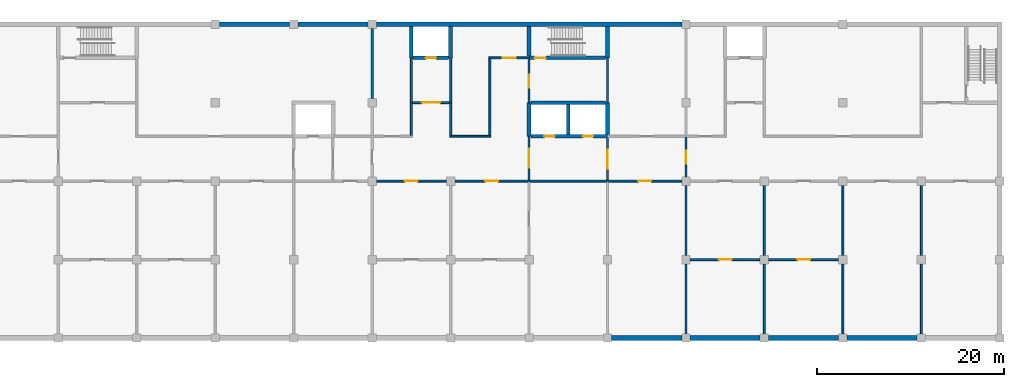
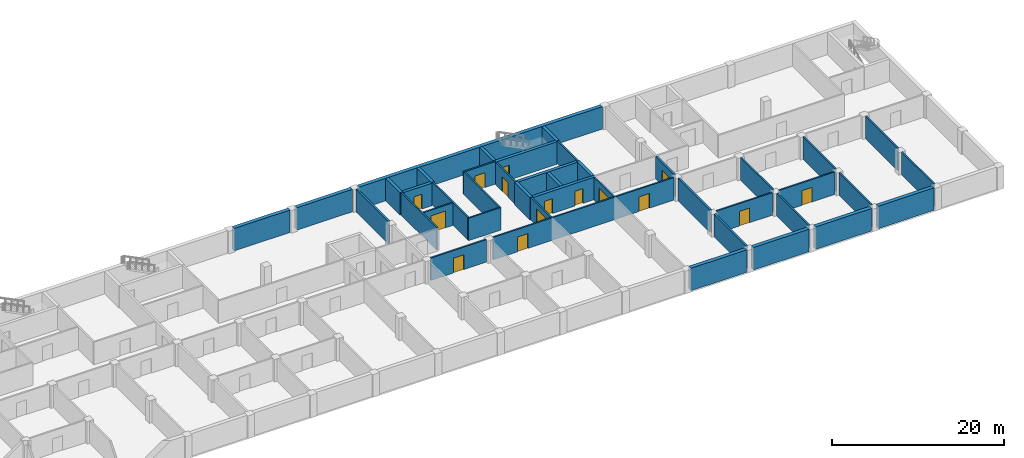
# One storey, part 5 of 12: 42 walls, 15 doors, 15 openings.
"""IFC4 building model written with IfcOpenShell, lengths in metres."""

from ifc_helpers import new_model, si_unit, direction, frame, frame_2d, origin, place, context, subcontext, project, spatial, rectangle, extrude, material, layer, layer_set, type_object, element, fill, save


model = new_model("IFC4")

# Units and contexts
model_context = context("Model", 3, precision=1e-05, world=origin(), true_north=direction((0.0, 1.0)))
body_context = subcontext(model_context, "Body", "Model", "MODEL_VIEW")
ifc_project = project(units=[si_unit("LENGTHUNIT", "METRE"), si_unit("AREAUNIT", "SQUARE_METRE"), si_unit("VOLUMEUNIT", "CUBIC_METRE"), si_unit("PLANEANGLEUNIT", "RADIAN"), si_unit("MASSUNIT", "GRAM", prefix="KILO")], contexts=[model_context])

# Site, building, storey
site_placement = place(None, origin())
site = spatial("IfcSite", under=ifc_project, at=site_placement, CompositionType="ELEMENT")
building_placement = place(site_placement, origin())
building = spatial("IfcBuilding", under=site, at=building_placement, Name="Yavir Park General Hospital", CompositionType="ELEMENT")
storey_placement = place(building_placement, frame((0.0, 0.0, -11.39990234375)))
storey = spatial("IfcBuildingStorey", under=building, at=storey_placement, Name="B3", CompositionType="ELEMENT", Elevation=-11.39990234375)

# Walls
ifc_material_1 = material(Name="Concrete C30/37", Category="concrete")
ifc_layer_1 = layer(ifc_material_1, 0.25)
ifc_layer_set_1 = layer_set([ifc_layer_1], Name="Concrete C30/37")
wall_type_1 = type_object("IfcWallType", Name="Compartment fire wall 250, REI 150", PredefinedType="SOLIDWALL", material=ifc_layer_set_1)
for number, where, z_axis, x_axis, name in (
    (1, (100.800048828125, 25.64990234375, 0.0), (0.0, 0.0, 1.0), (0.0, 1.0, 0.0), "FW25 B3-106"),
    (2, (134.39990234375, 0.449951171875, 0.0), (0.0, 0.0, 1.0), (0.0, 1.0, 0.0), "FW25 B3-127"),
    (3, (134.39990234375, 8.85009765625, 0.0), (0.0, 0.0, 1.0), (0.0, 1.0, 0.0), "FW25 B3-128"),
):
    element("IfcWall", number, at=place(storey_placement, frame(where, z_axis=z_axis, x_axis=x_axis)), inside=storey, type_object=wall_type_1, Name=name, PredefinedType="SOLIDWALL", context=body_context, shape_type="SweptSolid", body=[
        extrude(rectangle(XDim=7.5, YDim=0.25, at=frame_2d((3.75, 0.0))), origin(), (0.0, 0.0, 1.0), 3.199951171875),
    ])

# Wall, opening, door
wall_1_placement = place(storey_placement, frame((134.39990234375, 17.25, 0.0), z_axis=(0.0, 0.0, 1.0), x_axis=(0.0, 1.0, 0.0)))
wall_1 = element("IfcWall", 4, at=wall_1_placement, inside=storey, type_object=wall_type_1, Name="FW25 B3-129", PredefinedType="SOLIDWALL", context=body_context, shape_type="SweptSolid", body=[
    extrude(rectangle(XDim=4.25, YDim=0.25, at=frame_2d((2.125, 0.0))), origin(), (0.0, 0.0, 1.0), 3.199951171875),
])
opening_1_placement = place(wall_1_placement, frame((1.425048828125, 0.0, 0.0)))
opening_1 = element("IfcOpeningElement", 5, at=opening_1_placement, cuts=wall_1, Name="Opening B3.D069", PredefinedType="OPENING", context=body_context, shape_type="SweptSolid", body=[
    extrude(rectangle(XDim=1.39990234375, YDim=2.10009765625, at=frame_2d((0.699951171875, 1.050048828125))), frame((0.0, 0.135009765625, 0.0), z_axis=(0.0, -1.0, 0.0), x_axis=(1.0, 0.0, 0.0)), (0.0, 0.0, 1.0), 0.27001953125),
])
ifc_material_2 = material(Name="Steel frame, fire-resisting leaves with vision panels", Category="steel")
door_type_1 = type_object("IfcDoorType", Name="Double fire door with vision panels 1400 x 2100, EI 60", OperationType="DOUBLE_DOOR_SINGLE_SWING", PredefinedType="DOOR", material=ifc_material_2)
door_1_placement = place(opening_1_placement, origin())
door_1 = element("IfcDoor", 6, at=door_1_placement, inside=storey, type_object=door_type_1, Name="B3.D069", OperationType="SINGLE_SWING_LEFT", OverallHeight=2.10009765625, OverallWidth=1.39990234375, PredefinedType="DOOR", context=body_context, shape_type="SweptSolid", body=[
    extrude(rectangle(XDim=1.39990234375, YDim=2.10009765625, at=frame_2d((0.699951171875, 1.050048828125))), frame((0.0, 0.030029296875, 0.0), z_axis=(0.0, -1.0, 0.0), x_axis=(1.0, 0.0, 0.0)), (0.0, 0.0, 1.0), 0.06005859375),
])
fill(opening_1, door_1)

ifc_material_3 = material(Name="Double gypsum board fire partition on steel studs", Category="steel")
ifc_layer_2 = layer(ifc_material_3, 0.199951171875)
ifc_layer_set_2 = layer_set([ifc_layer_2], Name="Double gypsum board fire partition on steel studs")
wall_type_2 = type_object("IfcWallType", Name="Fire-rated partition 200, EI 60", PredefinedType="PARTITIONING", material=ifc_layer_set_2)
wall_2_placement = place(storey_placement, frame((134.85009765625, 8.39990234375, 0.0), z_axis=(0.0, 0.0, 1.0), x_axis=(1.0, 0.0, 0.0)))
wall_2 = element("IfcWall", 7, at=wall_2_placement, inside=storey, type_object=wall_type_2, Name="FP20 B3-009", PredefinedType="PARTITIONING", context=body_context, shape_type="SweptSolid", body=[
    extrude(rectangle(XDim=7.5, YDim=0.199951171875, at=frame_2d((3.75, 0.0))), origin(), (0.0, 0.0, 1.0), 3.199951171875),
])
opening_2_placement = place(wall_2_placement, frame((3.050048828125, 0.0, 0.0)))
opening_2 = element("IfcOpeningElement", 8, at=opening_2_placement, cuts=wall_2, Name="Opening B3.D009", PredefinedType="OPENING", context=body_context, shape_type="SweptSolid", body=[
    extrude(rectangle(XDim=1.39990234375, YDim=2.10009765625, at=frame_2d((0.699951171875, 1.050048828125))), frame((0.0, 0.10986328125, 0.0), z_axis=(0.0, -1.0, 0.0), x_axis=(1.0, 0.0, 0.0)), (0.0, 0.0, 1.0), 0.219970703125),
])
ifc_material_4 = material(Name="Steel frame, fire-resisting timber leaves", Category="steel")
door_type_2 = type_object("IfcDoorType", Name="Double fire door 1400 x 2100, EI 60", OperationType="DOUBLE_DOOR_SINGLE_SWING", PredefinedType="DOOR", material=ifc_material_4)
door_2_placement = place(opening_2_placement, origin())
door_2 = element("IfcDoor", 9, at=door_2_placement, inside=storey, type_object=door_type_2, Name="B3.D009", OperationType="SINGLE_SWING_LEFT", OverallHeight=2.10009765625, OverallWidth=1.39990234375, PredefinedType="DOOR", context=body_context, shape_type="SweptSolid", body=[
    extrude(rectangle(XDim=1.39990234375, YDim=2.10009765625, at=frame_2d((0.699951171875, 1.050048828125))), frame((0.0, 0.02490234375, 0.0), z_axis=(0.0, -1.0, 0.0), x_axis=(1.0, 0.0, 0.0)), (0.0, 0.0, 1.0), 0.050048828125),
])
fill(opening_2, door_2)

wall_3_placement = place(storey_placement, frame((143.25, 8.39990234375, 0.0), z_axis=(0.0, 0.0, 1.0), x_axis=(1.0, 0.0, 0.0)))
wall_3 = element("IfcWall", 10, at=wall_3_placement, inside=storey, type_object=wall_type_2, Name="FP20 B3-010", PredefinedType="PARTITIONING", context=body_context, shape_type="SweptSolid", body=[
    extrude(rectangle(XDim=7.5, YDim=0.199951171875, at=frame_2d((3.75, 0.0))), origin(), (0.0, 0.0, 1.0), 3.199951171875),
])
opening_3_placement = place(wall_3_placement, frame((3.050048828125, 0.0, 0.0)))
opening_3 = element("IfcOpeningElement", 11, at=opening_3_placement, cuts=wall_3, Name="Opening B3.D010", PredefinedType="OPENING", context=body_context, shape_type="SweptSolid", body=[
    extrude(rectangle(XDim=1.39990234375, YDim=2.10009765625, at=frame_2d((0.699951171875, 1.050048828125))), frame((0.0, 0.10986328125, 0.0), z_axis=(0.0, -1.0, 0.0), x_axis=(1.0, 0.0, 0.0)), (0.0, 0.0, 1.0), 0.219970703125),
])
door_3_placement = place(opening_3_placement, origin())
door_3 = element("IfcDoor", 12, at=door_3_placement, inside=storey, type_object=door_type_2, Name="B3.D010", OperationType="SINGLE_SWING_LEFT", OverallHeight=2.10009765625, OverallWidth=1.39990234375, PredefinedType="DOOR", context=body_context, shape_type="SweptSolid", body=[
    extrude(rectangle(XDim=1.39990234375, YDim=2.10009765625, at=frame_2d((0.699951171875, 1.050048828125))), frame((0.0, 0.02490234375, 0.0), z_axis=(0.0, -1.0, 0.0), x_axis=(1.0, 0.0, 0.0)), (0.0, 0.0, 1.0), 0.050048828125),
])
fill(opening_3, door_3)

wall_4_placement = place(storey_placement, frame((101.25, 16.800048828125, 0.0), z_axis=(0.0, 0.0, 1.0), x_axis=(1.0, 0.0, 0.0)))
wall_4 = element("IfcWall", 13, at=wall_4_placement, inside=storey, type_object=wall_type_2, Name="FP20 B3-021", PredefinedType="PARTITIONING", context=body_context, shape_type="SweptSolid", body=[
    extrude(rectangle(XDim=7.5, YDim=0.199951171875, at=frame_2d((3.75, 0.0))), origin(), (0.0, 0.0, 1.0), 3.199951171875),
])
opening_4_placement = place(wall_4_placement, frame((3.050048828125, 0.0, 0.0)))
opening_4 = element("IfcOpeningElement", 14, at=opening_4_placement, cuts=wall_4, Name="Opening B3.D023", PredefinedType="OPENING", context=body_context, shape_type="SweptSolid", body=[
    extrude(rectangle(XDim=1.39990234375, YDim=2.10009765625, at=frame_2d((0.699951171875, 1.050048828125))), frame((0.0, 0.10986328125, 0.0), z_axis=(0.0, -1.0, 0.0), x_axis=(1.0, 0.0, 0.0)), (0.0, 0.0, 1.0), 0.219970703125),
])
door_4_placement = place(opening_4_placement, origin())
door_4 = element("IfcDoor", 15, at=door_4_placement, inside=storey, type_object=door_type_2, Name="B3.D023", OperationType="SINGLE_SWING_LEFT", OverallHeight=2.10009765625, OverallWidth=1.39990234375, PredefinedType="DOOR", context=body_context, shape_type="SweptSolid", body=[
    extrude(rectangle(XDim=1.39990234375, YDim=2.10009765625, at=frame_2d((0.699951171875, 1.050048828125))), frame((0.0, 0.02490234375, 0.0), z_axis=(0.0, -1.0, 0.0), x_axis=(1.0, 0.0, 0.0)), (0.0, 0.0, 1.0), 0.050048828125),
])
fill(opening_4, door_4)

# Wall, openings, doors
wall_5_placement = place(storey_placement, frame((109.64990234375, 16.800048828125, 0.0), z_axis=(0.0, 0.0, 1.0), x_axis=(1.0, 0.0, 0.0)))
wall_5 = element("IfcWall", 16, at=wall_5_placement, inside=storey, type_object=wall_type_2, Name="FP20 B3-022", PredefinedType="PARTITIONING", context=body_context, shape_type="SweptSolid", body=[
    extrude(rectangle(XDim=24.300048828125, YDim=0.199951171875, at=frame_2d((12.14990234375, 0.0))), origin(), (0.0, 0.0, 1.0), 3.199951171875),
])
opening_5_placement = place(wall_5_placement, frame((3.27490234375, 0.0, 0.0)))
opening_5 = element("IfcOpeningElement", 17, at=opening_5_placement, cuts=wall_5, Name="Opening B3.D024", PredefinedType="OPENING", context=body_context, shape_type="SweptSolid", body=[
    extrude(rectangle(XDim=1.39990234375, YDim=2.10009765625, at=frame_2d((0.699951171875, 1.050048828125))), frame((0.0, 0.10986328125, 0.0), z_axis=(0.0, -1.0, 0.0), x_axis=(1.0, 0.0, 0.0)), (0.0, 0.0, 1.0), 0.219970703125),
])
opening_6_placement = place(wall_5_placement, frame((19.625, 0.0, 0.0)))
opening_6 = element("IfcOpeningElement", 18, at=opening_6_placement, cuts=wall_5, Name="Opening B3.D025", PredefinedType="OPENING", context=body_context, shape_type="SweptSolid", body=[
    extrude(rectangle(XDim=1.39990234375, YDim=2.10009765625, at=frame_2d((0.699951171875, 1.050048828125))), frame((0.0, 0.10986328125, 0.0), z_axis=(0.0, -1.0, 0.0), x_axis=(1.0, 0.0, 0.0)), (0.0, 0.0, 1.0), 0.219970703125),
])
door_5_placement = place(opening_5_placement, origin())
door_5 = element("IfcDoor", 19, at=door_5_placement, inside=storey, type_object=door_type_2, Name="B3.D024", OperationType="SINGLE_SWING_RIGHT", OverallHeight=2.10009765625, OverallWidth=1.39990234375, PredefinedType="DOOR", context=body_context, shape_type="SweptSolid", body=[
    extrude(rectangle(XDim=1.39990234375, YDim=2.10009765625, at=frame_2d((0.699951171875, 1.050048828125))), frame((0.0, 0.02490234375, 0.0), z_axis=(0.0, -1.0, 0.0), x_axis=(1.0, 0.0, 0.0)), (0.0, 0.0, 1.0), 0.050048828125),
])
fill(opening_5, door_5)
door_6_placement = place(opening_6_placement, origin())
door_6 = element("IfcDoor", 20, at=door_6_placement, inside=storey, type_object=door_type_2, Name="B3.D025", OperationType="SINGLE_SWING_LEFT", OverallHeight=2.10009765625, OverallWidth=1.39990234375, PredefinedType="DOOR", context=body_context, shape_type="SweptSolid", body=[
    extrude(rectangle(XDim=1.39990234375, YDim=2.10009765625, at=frame_2d((0.699951171875, 1.050048828125))), frame((0.0, 0.02490234375, 0.0), z_axis=(0.0, -1.0, 0.0), x_axis=(1.0, 0.0, 0.0)), (0.0, 0.0, 1.0), 0.050048828125),
])
fill(opening_6, door_6)

# Wall
wall_6_placement = place(storey_placement, frame((109.10009765625, 21.60009765625, 0.0), z_axis=(0.0, 0.0, 1.0), x_axis=(1.0, 0.0, 0.0)))
element("IfcWall", 21, at=wall_6_placement, inside=storey, type_object=wall_type_2, Name="FP20 B3-034", PredefinedType="PARTITIONING", context=body_context, shape_type="SweptSolid", body=[
    extrude(rectangle(XDim=4.39990234375, YDim=0.199951171875, at=frame_2d((2.199951171875, 0.0))), origin(), (0.0, 0.0, 1.0), 3.199951171875),
])

# Wall, opening, door
wall_7_placement = place(storey_placement, frame((105.10009765625, 25.199951171875, 0.0), z_axis=(0.0, 0.0, 1.0), x_axis=(1.0, 0.0, 0.0)))
wall_7 = element("IfcWall", 22, at=wall_7_placement, inside=storey, type_object=wall_type_2, Name="FP20 B3-044", PredefinedType="PARTITIONING", context=body_context, shape_type="SweptSolid", body=[
    extrude(rectangle(XDim=4.0, YDim=0.199951171875, at=frame_2d((2.0, 0.0))), origin(), (0.0, 0.0, 1.0), 3.199951171875),
])
opening_7_placement = place(wall_7_placement, frame((1.0, 0.0, 0.0)))
opening_7 = element("IfcOpeningElement", 23, at=opening_7_placement, cuts=wall_7, Name="Opening B3.D046", PredefinedType="OPENING", context=body_context, shape_type="SweptSolid", body=[
    extrude(rectangle(XDim=2.0, YDim=2.39990234375, at=frame_2d((1.0, 1.199951171875))), frame((0.0, 0.10986328125, 0.0), z_axis=(0.0, -1.0, 0.0), x_axis=(1.0, 0.0, 0.0)), (0.0, 0.0, 1.0), 0.219970703125),
])
ifc_material_5 = material(Name="Steel frame, fire-resisting leaves with vision panels", Category="steel")
door_type_3 = type_object("IfcDoorType", Name="Double fire door with vision panels 2000 x 2400, EI 60", OperationType="DOUBLE_DOOR_SINGLE_SWING", PredefinedType="DOOR", material=ifc_material_5)
door_7_placement = place(opening_7_placement, origin())
door_7 = element("IfcDoor", 24, at=door_7_placement, inside=storey, type_object=door_type_3, Name="B3.D046", OperationType="SINGLE_SWING_LEFT", OverallHeight=2.39990234375, OverallWidth=2.0, PredefinedType="DOOR", context=body_context, shape_type="SweptSolid", body=[
    extrude(rectangle(XDim=2.0, YDim=2.39990234375, at=frame_2d((1.0, 1.199951171875))), frame((0.0, 0.030029296875, 0.0), z_axis=(0.0, -1.0, 0.0), x_axis=(1.0, 0.0, 0.0)), (0.0, 0.0, 1.0), 0.06005859375),
])
fill(opening_7, door_7)

wall_8_placement = place(storey_placement, frame((113.300048828125, 30.0, 0.0), z_axis=(0.0, 0.0, 1.0), x_axis=(1.0, 0.0, 0.0)))
wall_8 = element("IfcWall", 25, at=wall_8_placement, inside=storey, type_object=wall_type_2, Name="FP20 B3-052", PredefinedType="PARTITIONING", context=body_context, shape_type="SweptSolid", body=[
    extrude(rectangle(XDim=4.300048828125, YDim=0.199951171875, at=frame_2d((2.14990234375, 0.0))), origin(), (0.0, 0.0, 1.0), 3.199951171875),
])
opening_8_placement = place(wall_8_placement, frame((1.5, 0.0, 0.0)))
opening_8 = element("IfcOpeningElement", 26, at=opening_8_placement, cuts=wall_8, Name="Opening B3.D053", PredefinedType="OPENING", context=body_context, shape_type="SweptSolid", body=[
    extrude(rectangle(XDim=1.39990234375, YDim=2.10009765625, at=frame_2d((0.699951171875, 1.050048828125))), frame((0.0, 0.10986328125, 0.0), z_axis=(0.0, -1.0, 0.0), x_axis=(1.0, 0.0, 0.0)), (0.0, 0.0, 1.0), 0.219970703125),
])
door_8_placement = place(opening_8_placement, origin())
door_8 = element("IfcDoor", 27, at=door_8_placement, inside=storey, type_object=door_type_2, Name="B3.D053", OperationType="SINGLE_SWING_LEFT", OverallHeight=2.10009765625, OverallWidth=1.39990234375, PredefinedType="DOOR", context=body_context, shape_type="SweptSolid", body=[
    extrude(rectangle(XDim=1.39990234375, YDim=2.10009765625, at=frame_2d((0.699951171875, 1.050048828125))), frame((0.0, 0.02490234375, 0.0), z_axis=(0.0, -1.0, 0.0), x_axis=(1.0, 0.0, 0.0)), (0.0, 0.0, 1.0), 0.050048828125),
])
fill(opening_8, door_8)

# Walls
for number, where, z_axis, x_axis, name in (
    (28, (105.0, 21.699951171875, 0.0), (0.0, 0.0, 1.0), (0.0, 1.0, 0.0), "FP20 B3-107"),
    (29, (109.199951171875, 21.699951171875, 0.0), (0.0, 0.0, 1.0), (0.0, 1.0, 0.0), "FP20 B3-111"),
):
    element("IfcWall", number, at=place(storey_placement, frame(where, z_axis=z_axis, x_axis=x_axis)), inside=storey, type_object=wall_type_2, Name=name, PredefinedType="PARTITIONING", context=body_context, shape_type="SweptSolid", body=[
        extrude(rectangle(XDim=8.300048828125, YDim=0.199951171875, at=frame_2d((4.14990234375, 0.0))), origin(), (0.0, 0.0, 1.0), 3.199951171875),
    ])
wall_9_placement = place(storey_placement, frame((113.39990234375, 21.699951171875, 0.0), z_axis=(0.0, 0.0, 1.0), x_axis=(0.0, 1.0, 0.0)))
element("IfcWall", 30, at=wall_9_placement, inside=storey, type_object=wall_type_2, Name="FP20 B3-113", PredefinedType="PARTITIONING", context=body_context, shape_type="SweptSolid", body=[
    extrude(rectangle(XDim=8.199951171875, YDim=0.199951171875, at=frame_2d((4.10009765625, 0.0))), origin(), (0.0, 0.0, 1.0), 3.199951171875),
])

# Wall, opening, door
wall_10_placement = place(storey_placement, frame((117.60009765625, 16.89990234375, 0.0), z_axis=(0.0, 0.0, 1.0), x_axis=(0.0, 1.0, 0.0)))
wall_10 = element("IfcWall", 31, at=wall_10_placement, inside=storey, type_object=wall_type_2, Name="FP20 B3-116", PredefinedType="PARTITIONING", context=body_context, shape_type="SweptSolid", body=[
    extrude(rectangle(XDim=4.7001953125, YDim=0.199951171875, at=frame_2d((2.35009765625, 0.0))), origin(), (0.0, 0.0, 1.0), 3.199951171875),
])
opening_9_placement = place(wall_10_placement, frame((1.35009765625, 0.0, 0.0)))
opening_9 = element("IfcOpeningElement", 32, at=opening_9_placement, cuts=wall_10, Name="Opening B3.D066", PredefinedType="OPENING", context=body_context, shape_type="SweptSolid", body=[
    extrude(rectangle(XDim=2.0, YDim=2.39990234375, at=frame_2d((1.0, 1.199951171875))), frame((0.0, 0.10986328125, 0.0), z_axis=(0.0, -1.0, 0.0), x_axis=(1.0, 0.0, 0.0)), (0.0, 0.0, 1.0), 0.219970703125),
])
door_9_placement = place(opening_9_placement, origin())
door_9 = element("IfcDoor", 33, at=door_9_placement, inside=storey, type_object=door_type_3, Name="B3.D066", OperationType="SINGLE_SWING_LEFT", OverallHeight=2.39990234375, OverallWidth=2.0, PredefinedType="DOOR", context=body_context, shape_type="SweptSolid", body=[
    extrude(rectangle(XDim=2.0, YDim=2.39990234375, at=frame_2d((1.0, 1.199951171875))), frame((0.0, 0.030029296875, 0.0), z_axis=(0.0, -1.0, 0.0), x_axis=(1.0, 0.0, 0.0)), (0.0, 0.0, 1.0), 0.06005859375),
])
fill(opening_9, door_9)

wall_11_placement = place(storey_placement, frame((117.60009765625, 25.199951171875, 0.0), z_axis=(0.0, 0.0, 1.0), x_axis=(0.0, 1.0, 0.0)))
wall_11 = element("IfcWall", 34, at=wall_11_placement, inside=storey, type_object=wall_type_2, Name="FP20 B3-118", PredefinedType="PARTITIONING", context=body_context, shape_type="SweptSolid", body=[
    extrude(rectangle(XDim=4.60009765625, YDim=0.199951171875, at=frame_2d((2.300048828125, 0.0))), origin(), (0.0, 0.0, 1.0), 3.199951171875),
])
opening_10_placement = place(wall_11_placement, frame((1.60009765625, 0.0, 0.0)))
opening_10 = element("IfcOpeningElement", 35, at=opening_10_placement, cuts=wall_11, Name="Opening B3.D067", PredefinedType="OPENING", context=body_context, shape_type="SweptSolid", body=[
    extrude(rectangle(XDim=1.39990234375, YDim=2.10009765625, at=frame_2d((0.699951171875, 1.050048828125))), frame((0.0, 0.10986328125, 0.0), z_axis=(0.0, -1.0, 0.0), x_axis=(1.0, 0.0, 0.0)), (0.0, 0.0, 1.0), 0.219970703125),
])
door_10_placement = place(opening_10_placement, origin())
door_10 = element("IfcDoor", 36, at=door_10_placement, inside=storey, type_object=door_type_1, Name="B3.D067", OperationType="SINGLE_SWING_LEFT", OverallHeight=2.10009765625, OverallWidth=1.39990234375, PredefinedType="DOOR", context=body_context, shape_type="SweptSolid", body=[
    extrude(rectangle(XDim=1.39990234375, YDim=2.10009765625, at=frame_2d((0.699951171875, 1.050048828125))), frame((0.0, 0.030029296875, 0.0), z_axis=(0.0, -1.0, 0.0), x_axis=(1.0, 0.0, 0.0)), (0.0, 0.0, 1.0), 0.06005859375),
])
fill(opening_10, door_10)

wall_12_placement = place(storey_placement, frame((126.0, 16.89990234375, 0.0), z_axis=(0.0, 0.0, 1.0), x_axis=(0.0, 1.0, 0.0)))
wall_12 = element("IfcWall", 37, at=wall_12_placement, inside=storey, type_object=wall_type_2, Name="FP20 B3-123", PredefinedType="PARTITIONING", context=body_context, shape_type="SweptSolid", body=[
    extrude(rectangle(XDim=4.5, YDim=0.199951171875, at=frame_2d((2.25, 0.0))), origin(), (0.0, 0.0, 1.0), 3.199951171875),
])
opening_11_placement = place(wall_12_placement, frame((1.25, 0.0, 0.0)))
opening_11 = element("IfcOpeningElement", 38, at=opening_11_placement, cuts=wall_12, Name="Opening B3.D068", PredefinedType="OPENING", context=body_context, shape_type="SweptSolid", body=[
    extrude(rectangle(XDim=2.0, YDim=2.39990234375, at=frame_2d((1.0, 1.199951171875))), frame((0.0, 0.10986328125, 0.0), z_axis=(0.0, -1.0, 0.0), x_axis=(1.0, 0.0, 0.0)), (0.0, 0.0, 1.0), 0.219970703125),
])
door_11_placement = place(opening_11_placement, origin())
door_11 = element("IfcDoor", 39, at=door_11_placement, inside=storey, type_object=door_type_3, Name="B3.D068", OperationType="SINGLE_SWING_LEFT", OverallHeight=2.39990234375, OverallWidth=2.0, PredefinedType="DOOR", context=body_context, shape_type="SweptSolid", body=[
    extrude(rectangle(XDim=2.0, YDim=2.39990234375, at=frame_2d((1.0, 1.199951171875))), frame((0.0, 0.030029296875, 0.0), z_axis=(0.0, -1.0, 0.0), x_axis=(1.0, 0.0, 0.0)), (0.0, 0.0, 1.0), 0.06005859375),
])
fill(opening_11, door_11)

# Walls
wall_13_placement = place(storey_placement, frame((126.0, 25.199951171875, 0.0), z_axis=(0.0, 0.0, 1.0), x_axis=(0.0, 1.0, 0.0)))
element("IfcWall", 40, at=wall_13_placement, inside=storey, type_object=wall_type_2, Name="FP20 B3-125", PredefinedType="PARTITIONING", context=body_context, shape_type="SweptSolid", body=[
    extrude(rectangle(XDim=4.800048828125, YDim=0.199951171875, at=frame_2d((2.39990234375, 0.0))), origin(), (0.0, 0.0, 1.0), 3.199951171875),
])
for number, where, z_axis, x_axis, name in (
    (41, (142.800048828125, 0.449951171875, 0.0), (0.0, 0.0, 1.0), (0.0, 1.0, 0.0), "FP20 B3-134"),
    (42, (142.800048828125, 8.85009765625, 0.0), (0.0, 0.0, 1.0), (0.0, 1.0, 0.0), "FP20 B3-135"),
    (43, (151.199951171875, 0.449951171875, 0.0), (0.0, 0.0, 1.0), (0.0, 1.0, 0.0), "FP20 B3-138"),
    (44, (151.199951171875, 8.85009765625, 0.0), (0.0, 0.0, 1.0), (0.0, 1.0, 0.0), "FP20 B3-139"),
    (45, (159.60009765625, 0.449951171875, 0.0), (0.0, 0.0, 1.0), (0.0, 1.0, 0.0), "FP20 B3-140"),
    (46, (159.60009765625, 8.85009765625, 0.0), (0.0, 0.0, 1.0), (0.0, 1.0, 0.0), "FP20 B3-141"),
):
    element("IfcWall", number, at=place(storey_placement, frame(where, z_axis=z_axis, x_axis=x_axis)), inside=storey, type_object=wall_type_2, Name=name, PredefinedType="PARTITIONING", context=body_context, shape_type="SweptSolid", body=[
        extrude(rectangle(XDim=7.5, YDim=0.199951171875, at=frame_2d((3.75, 0.0))), origin(), (0.0, 0.0, 1.0), 3.199951171875),
    ])
ifc_material_6 = material(Name="Concrete C35/45", Category="concrete")
ifc_layer_3 = layer(ifc_material_6, 0.5)
ifc_layer_set_3 = layer_set([ifc_layer_3], Name="Concrete C35/45")
wall_type_3 = type_object("IfcWallType", Name="RC WALL RETAINING 500", PredefinedType="SOLIDWALL", material=ifc_layer_set_3)
for number, where, z_axis, x_axis, name in (
    (47, (126.449951171875, 0.0, 0.0), (0.0, 0.0, 1.0), (1.0, 0.0, 0.0), "W:RET:B3:S15"),
    (48, (134.85009765625, 0.0, 0.0), (0.0, 0.0, 1.0), (1.0, 0.0, 0.0), "W:RET:B3:S16"),
    (49, (143.25, 0.0, 0.0), (0.0, 0.0, 1.0), (1.0, 0.0, 0.0), "W:RET:B3:S17"),
    (50, (151.64990234375, 0.0, 0.0), (0.0, 0.0, 1.0), (1.0, 0.0, 0.0), "W:RET:B3:S18"),
    (51, (84.449951171875, 33.60009765625, 0.0), (0.0, 0.0, 1.0), (1.0, 0.0, 0.0), "W:RET:B3:N25"),
    (52, (92.85009765625, 33.60009765625, 0.0), (0.0, 0.0, 1.0), (1.0, 0.0, 0.0), "W:RET:B3:N26"),
):
    element("IfcWall", number, at=place(storey_placement, frame(where, z_axis=z_axis, x_axis=x_axis)), inside=storey, type_object=wall_type_3, Name=name, PredefinedType="SOLIDWALL", context=body_context, shape_type="SweptSolid", body=[
        extrude(rectangle(XDim=7.5, YDim=0.5, at=frame_2d((3.75, 0.0))), origin(), (0.0, 0.0, 1.0), 3.199951171875),
    ])
wall_14_placement = place(storey_placement, frame((101.25, 33.60009765625, 0.0), z_axis=(0.0, 0.0, 1.0), x_axis=(1.0, 0.0, 0.0)))
element("IfcWall", 53, at=wall_14_placement, inside=storey, type_object=wall_type_3, Name="W:RET:B3:N27", PredefinedType="SOLIDWALL", context=body_context, shape_type="SweptSolid", body=[
    extrude(rectangle(XDim=32.699951171875, YDim=0.5, at=frame_2d((16.35009765625, 0.0))), origin(), (0.0, 0.0, 1.0), 3.199951171875),
])

# Wall, openings, doors
ifc_material_7 = material(Name="Concrete C35/45", Category="concrete")
ifc_layer_4 = layer(ifc_material_7, 0.39990234375)
ifc_layer_set_4 = layer_set([ifc_layer_4], Name="Concrete C35/45")
wall_type_4 = type_object("IfcWallType", Name="Reinforced concrete core wall 400, REI 150", PredefinedType="SHEAR", material=ifc_layer_set_4)
wall_15_placement = place(storey_placement, frame((117.800048828125, 21.60009765625, 0.0), z_axis=(0.0, 0.0, 1.0), x_axis=(1.0, 0.0, 0.0)))
wall_15 = element("IfcWall", 54, at=wall_15_placement, inside=storey, type_object=wall_type_4, Name="CW40 B3-035", PredefinedType="SHEAR", context=body_context, shape_type="SweptSolid", body=[
    extrude(rectangle(XDim=8.199951171875, YDim=0.39990234375, at=frame_2d((4.10009765625, 0.0))), origin(), (0.0, 0.0, 1.0), 3.199951171875),
])
opening_12_placement = place(wall_15_placement, frame((1.449951171875, 0.0, 0.0)))
opening_12 = element("IfcOpeningElement", 55, at=opening_12_placement, cuts=wall_15, Name="Opening B3.D038", PredefinedType="OPENING", context=body_context, shape_type="SweptSolid", body=[
    extrude(rectangle(XDim=1.10009765625, YDim=2.10009765625, at=frame_2d((0.550048828125, 1.050048828125))), frame((0.0, 0.2099609375, 0.0), z_axis=(0.0, -1.0, 0.0), x_axis=(1.0, 0.0, 0.0)), (0.0, 0.0, 1.0), 0.419921875),
])
opening_13_placement = place(wall_15_placement, frame((5.550048828125, 0.0, 0.0)))
opening_13 = element("IfcOpeningElement", 56, at=opening_13_placement, cuts=wall_15, Name="Opening B3.D039", PredefinedType="OPENING", context=body_context, shape_type="SweptSolid", body=[
    extrude(rectangle(XDim=1.10009765625, YDim=2.10009765625, at=frame_2d((0.550048828125, 1.050048828125))), frame((0.0, 0.2099609375, 0.0), z_axis=(0.0, -1.0, 0.0), x_axis=(1.0, 0.0, 0.0)), (0.0, 0.0, 1.0), 0.419921875),
])
ifc_material_8 = material(Name="Stainless steel landing door panels", Category="steel")
door_type_4 = type_object("IfcDoorType", Name="Lift landing door 1100 x 2100, EI 60", OperationType="SLIDING_TO_LEFT", PredefinedType="DOOR", material=ifc_material_8)
door_12_placement = place(opening_12_placement, origin())
door_12 = element("IfcDoor", 57, at=door_12_placement, inside=storey, type_object=door_type_4, Name="B3.D038", OperationType="SLIDING_TO_LEFT", OverallHeight=2.10009765625, OverallWidth=1.10009765625, PredefinedType="DOOR", context=body_context, shape_type="SweptSolid", body=[
    extrude(rectangle(XDim=1.10009765625, YDim=2.10009765625, at=frame_2d((0.550048828125, 1.050048828125))), frame((0.0, 0.02490234375, 0.0), z_axis=(0.0, -1.0, 0.0), x_axis=(1.0, 0.0, 0.0)), (0.0, 0.0, 1.0), 0.050048828125),
])
fill(opening_12, door_12)
door_13_placement = place(opening_13_placement, origin())
door_13 = element("IfcDoor", 58, at=door_13_placement, inside=storey, type_object=door_type_4, Name="B3.D039", OperationType="SLIDING_TO_LEFT", OverallHeight=2.10009765625, OverallWidth=1.10009765625, PredefinedType="DOOR", context=body_context, shape_type="SweptSolid", body=[
    extrude(rectangle(XDim=1.10009765625, YDim=2.10009765625, at=frame_2d((0.550048828125, 1.050048828125))), frame((0.0, 0.02490234375, 0.0), z_axis=(0.0, -1.0, 0.0), x_axis=(1.0, 0.0, 0.0)), (0.0, 0.0, 1.0), 0.050048828125),
])
fill(opening_13, door_13)

# Wall
wall_16_placement = place(storey_placement, frame((117.800048828125, 25.199951171875, 0.0), z_axis=(0.0, 0.0, 1.0), x_axis=(1.0, 0.0, 0.0)))
element("IfcWall", 59, at=wall_16_placement, inside=storey, type_object=wall_type_4, Name="CW40 B3-045", PredefinedType="SHEAR", context=body_context, shape_type="SweptSolid", body=[
    extrude(rectangle(XDim=8.0, YDim=0.39990234375, at=frame_2d((4.0, 0.0))), origin(), (0.0, 0.0, 1.0), 3.199951171875),
])

# Wall, opening, door
wall_17_placement = place(storey_placement, frame((105.199951171875, 30.0, 0.0), z_axis=(0.0, 0.0, 1.0), x_axis=(1.0, 0.0, 0.0)))
wall_17 = element("IfcWall", 60, at=wall_17_placement, inside=storey, type_object=wall_type_4, Name="CW40 B3-051", PredefinedType="SHEAR", context=body_context, shape_type="SweptSolid", body=[
    extrude(rectangle(XDim=3.800048828125, YDim=0.39990234375, at=frame_2d((1.89990234375, 0.0))), origin(), (0.0, 0.0, 1.0), 3.199951171875),
])
opening_14_placement = place(wall_17_placement, frame((1.35009765625, 0.0, 0.0)))
opening_14 = element("IfcOpeningElement", 61, at=opening_14_placement, cuts=wall_17, Name="Opening B3.D052", PredefinedType="OPENING", context=body_context, shape_type="SweptSolid", body=[
    extrude(rectangle(XDim=1.10009765625, YDim=2.10009765625, at=frame_2d((0.550048828125, 1.050048828125))), frame((0.0, 0.2099609375, 0.0), z_axis=(0.0, -1.0, 0.0), x_axis=(1.0, 0.0, 0.0)), (0.0, 0.0, 1.0), 0.419921875),
])
door_14_placement = place(opening_14_placement, origin())
door_14 = element("IfcDoor", 62, at=door_14_placement, inside=storey, type_object=door_type_4, Name="B3.D052", OperationType="SLIDING_TO_LEFT", OverallHeight=2.10009765625, OverallWidth=1.10009765625, PredefinedType="DOOR", context=body_context, shape_type="SweptSolid", body=[
    extrude(rectangle(XDim=1.10009765625, YDim=2.10009765625, at=frame_2d((0.550048828125, 1.050048828125))), frame((0.0, 0.02490234375, 0.0), z_axis=(0.0, -1.0, 0.0), x_axis=(1.0, 0.0, 0.0)), (0.0, 0.0, 1.0), 0.050048828125),
])
fill(opening_14, door_14)

wall_18_placement = place(storey_placement, frame((117.60009765625, 30.0, 0.0), z_axis=(0.0, 0.0, 1.0), x_axis=(1.0, 0.0, 0.0)))
wall_18 = element("IfcWall", 63, at=wall_18_placement, inside=storey, type_object=wall_type_4, Name="CW40 B3-053", PredefinedType="SHEAR", context=body_context, shape_type="SweptSolid", body=[
    extrude(rectangle(XDim=8.199951171875, YDim=0.39990234375, at=frame_2d((4.10009765625, 0.0))), origin(), (0.0, 0.0, 1.0), 3.199951171875),
])
opening_15_placement = place(wall_18_placement, frame((0.60009765625, 0.0, 0.0)))
opening_15 = element("IfcOpeningElement", 64, at=opening_15_placement, cuts=wall_18, Name="Opening B3.D054", PredefinedType="OPENING", context=body_context, shape_type="SweptSolid", body=[
    extrude(rectangle(XDim=1.199951171875, YDim=2.10009765625, at=frame_2d((0.60009765625, 1.050048828125))), frame((0.0, 0.2099609375, 0.0), z_axis=(0.0, -1.0, 0.0), x_axis=(1.0, 0.0, 0.0)), (0.0, 0.0, 1.0), 0.419921875),
])
ifc_material_9 = material(Name="Steel frame, fire-resisting timber leaf", Category="steel")
door_type_5 = type_object("IfcDoorType", Name="Fire door 1200 x 2100, EI 60", OperationType="SINGLE_SWING_LEFT", PredefinedType="DOOR", material=ifc_material_9)
door_15_placement = place(opening_15_placement, origin())
door_15 = element("IfcDoor", 65, at=door_15_placement, inside=storey, type_object=door_type_5, Name="B3.D054", OperationType="SINGLE_SWING_RIGHT", OverallHeight=2.10009765625, OverallWidth=1.199951171875, PredefinedType="DOOR", context=body_context, shape_type="SweptSolid", body=[
    extrude(rectangle(XDim=1.199951171875, YDim=2.10009765625, at=frame_2d((0.60009765625, 1.050048828125))), frame((0.0, 0.02490234375, 0.0), z_axis=(0.0, -1.0, 0.0), x_axis=(1.0, 0.0, 0.0)), (0.0, 0.0, 1.0), 0.050048828125),
])
fill(opening_15, door_15)

# Walls
for number, where, z_axis, x_axis, name in (
    (66, (105.0, 30.0, 0.0), (0.0, 0.0, 1.0), (0.0, 1.0, 0.0), "CW40 B3-108"),
    (67, (109.199951171875, 30.0, 0.0), (0.0, 0.0, 1.0), (0.0, 1.0, 0.0), "CW40 B3-112"),
):
    element("IfcWall", number, at=place(storey_placement, frame(where, z_axis=z_axis, x_axis=x_axis)), inside=storey, type_object=wall_type_4, Name=name, PredefinedType="SHEAR", context=body_context, shape_type="SweptSolid", body=[
        extrude(rectangle(XDim=3.35009765625, YDim=0.39990234375, at=frame_2d((1.675048828125, 0.0))), origin(), (0.0, 0.0, 1.0), 3.199951171875),
    ])
wall_19_placement = place(storey_placement, frame((117.60009765625, 21.60009765625, 0.0), z_axis=(0.0, 0.0, 1.0), x_axis=(0.0, 1.0, 0.0)))
element("IfcWall", 68, at=wall_19_placement, inside=storey, type_object=wall_type_4, Name="CW40 B3-117", PredefinedType="SHEAR", context=body_context, shape_type="SweptSolid", body=[
    extrude(rectangle(XDim=3.599853515625, YDim=0.39990234375, at=frame_2d((1.7998046875, 0.0))), origin(), (0.0, 0.0, 1.0), 3.199951171875),
])
wall_20_placement = place(storey_placement, frame((117.60009765625, 30.199951171875, 0.0), z_axis=(0.0, 0.0, 1.0), x_axis=(0.0, 1.0, 0.0)))
element("IfcWall", 69, at=wall_20_placement, inside=storey, type_object=wall_type_4, Name="CW40 B3-119", PredefinedType="SHEAR", context=body_context, shape_type="SweptSolid", body=[
    extrude(rectangle(XDim=3.150146484375, YDim=0.39990234375, at=frame_2d((1.5751953125, 0.0))), origin(), (0.0, 0.0, 1.0), 3.199951171875),
])
wall_21_placement = place(storey_placement, frame((121.800048828125, 21.800048828125, 0.0), z_axis=(0.0, 0.0, 1.0), x_axis=(0.0, 1.0, 0.0)))
element("IfcWall", 70, at=wall_21_placement, inside=storey, type_object=wall_type_4, Name="CW40 B3-120", PredefinedType="SHEAR", context=body_context, shape_type="SweptSolid", body=[
    extrude(rectangle(XDim=3.199951171875, YDim=0.39990234375, at=frame_2d((1.60009765625, 0.0))), origin(), (0.0, 0.0, 1.0), 3.199951171875),
])
wall_22_placement = place(storey_placement, frame((126.0, 21.800048828125, 0.0), z_axis=(0.0, 0.0, 1.0), x_axis=(0.0, 1.0, 0.0)))
element("IfcWall", 71, at=wall_22_placement, inside=storey, type_object=wall_type_4, Name="CW40 B3-124", PredefinedType="SHEAR", context=body_context, shape_type="SweptSolid", body=[
    extrude(rectangle(XDim=3.39990234375, YDim=0.39990234375, at=frame_2d((1.699951171875, 0.0))), origin(), (0.0, 0.0, 1.0), 3.199951171875),
])
wall_23_placement = place(storey_placement, frame((126.0, 30.0, 0.0), z_axis=(0.0, 0.0, 1.0), x_axis=(0.0, 1.0, 0.0)))
element("IfcWall", 72, at=wall_23_placement, inside=storey, type_object=wall_type_4, Name="CW40 B3-126", PredefinedType="SHEAR", context=body_context, shape_type="SweptSolid", body=[
    extrude(rectangle(XDim=3.35009765625, YDim=0.39990234375, at=frame_2d((1.675048828125, 0.0))), origin(), (0.0, 0.0, 1.0), 3.199951171875),
])

save(model, "model.ifc")
